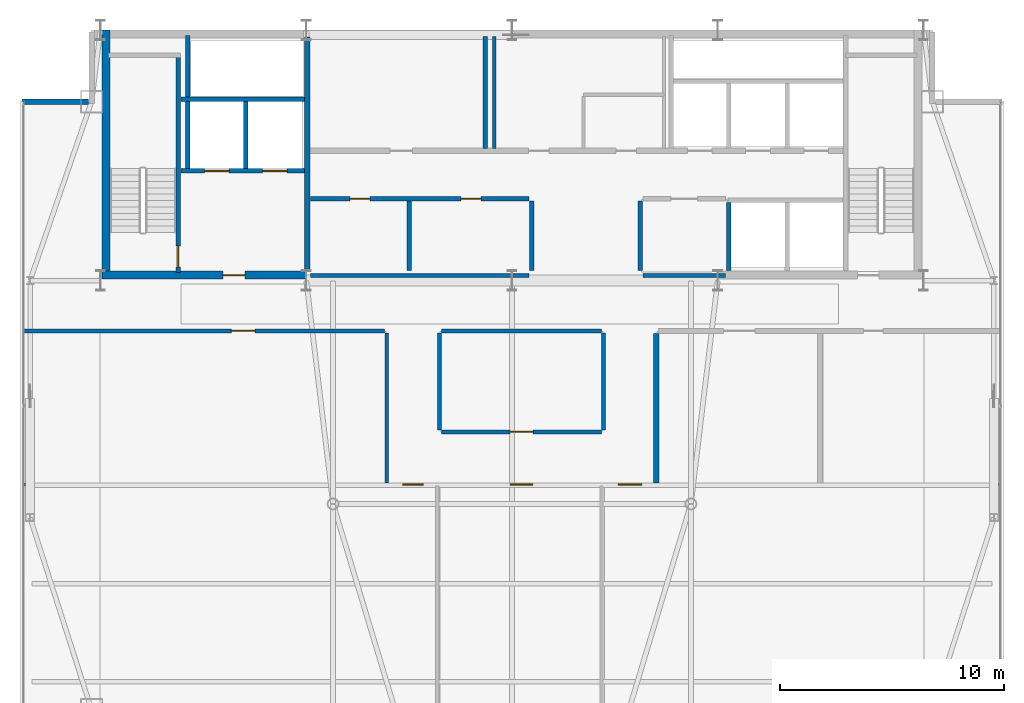
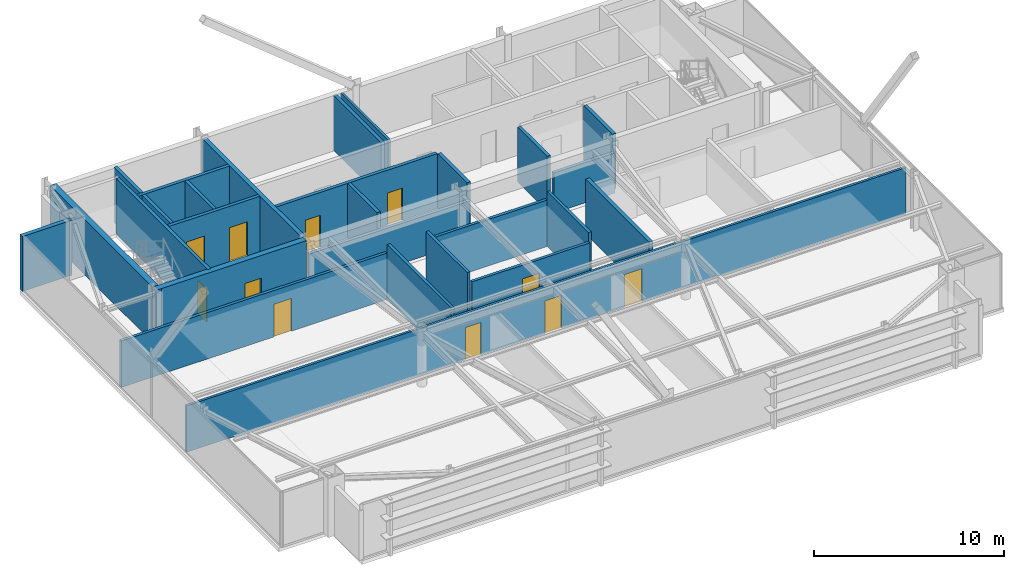
# One storey, part 21 of 24: 26 walls, 11 doors, 11 openings.
"""IFC4 building model written with IfcOpenShell, lengths in metres."""

from ifc_helpers import new_model, si_unit, direction, frame, frame_2d, origin, place, context, subcontext, project, spatial, rectangle, extrude, source, transform, mapped, material, layer, layer_set, type_object, type_shapes, element, fill, save


model = new_model("IFC4")

# Units and contexts
model_context = context("Model", 3, precision=1e-05, world=origin(), true_north=direction((0.0, 1.0)))
body_context = subcontext(model_context, "Body", "Model", "MODEL_VIEW")
ifc_project = project(units=[si_unit("LENGTHUNIT", "METRE"), si_unit("AREAUNIT", "SQUARE_METRE"), si_unit("VOLUMEUNIT", "CUBIC_METRE"), si_unit("PLANEANGLEUNIT", "RADIAN"), si_unit("MASSUNIT", "GRAM", prefix="KILO")], contexts=[model_context])

# Site, building, storey
site_placement = place(None, origin())
site = spatial("IfcSite", under=ifc_project, at=site_placement, CompositionType="ELEMENT")
building_placement = place(site_placement, origin())
building = spatial("IfcBuilding", under=site, at=building_placement, Name="Varnel Quay Broadcast Tower", CompositionType="ELEMENT")
storey_placement = place(building_placement, frame((0.0, 0.0, 277.39990234375)))
storey = spatial("IfcBuildingStorey", under=building, at=storey_placement, Name="L69", CompositionType="ELEMENT", Elevation=277.39990234375)

# Wall, opening, door
ifc_material_1 = material(Name="Concrete CSA A23.3 C50/60", Category="concrete")
ifc_layer_1 = layer(ifc_material_1, 0.199951171875, Name="Concrete CSA A23.3 C50/60")
ifc_layer_set_1 = layer_set([ifc_layer_1], Name="Concrete CSA A23.3 C50/60")
wall_type_1 = type_object("IfcWallType", Name="Wall_CoreShaftShear200", PredefinedType="SHEAR", material=ifc_layer_set_1)
wall_1_placement = place(storey_placement, frame((19.080078125, 35.949951171875, 0.0), z_axis=(0.0, 0.0, 1.0), x_axis=(0.0, 1.0, 0.0)))
wall_1 = element("IfcWall", 1, at=wall_1_placement, inside=storey, type_object=wall_type_1, Name="L69 Stair 1 East Structural Wall", PredefinedType="SHEAR", context=body_context, shape_type="SweptSolid", body=[
    extrude(rectangle(XDim=9.650146484375, YDim=0.199951171875, at=frame_2d((4.8251953125, 0.0))), origin(), (0.0, 0.0, 1.0), 3.550048828125),
])
opening_1_placement = place(wall_1_placement, frame((0.25, 0.0, 0.0)))
opening_1 = element("IfcOpeningElement", 2, at=opening_1_placement, cuts=wall_1, Name="Opening D-L69-S1", PredefinedType="OPENING", context=body_context, shape_type="SweptSolid", body=[
    extrude(rectangle(XDim=0.949951171875, YDim=2.10009765625, at=frame_2d((0.47509765625, 1.050048828125))), frame((0.0, 0.10986328125, 0.0), z_axis=(0.0, -1.0, 0.0), x_axis=(1.0, 0.0, 0.0)), (0.0, 0.0, 1.0), 0.219970703125),
])
ifc_material_2 = material(Name="Insulated Fire-Rated Hollow Steel Door", Category="steel")
door_type_1 = type_object("IfcDoorType", Name="Door_FireStair950", OperationType="NOTDEFINED", PredefinedType="DOOR", material=ifc_material_2)
shared_shape_1 = source(origin(), body_context, "Body", "SweptSolid", [
    extrude(rectangle(XDim=0.949951171875, YDim=2.10009765625, at=frame_2d((0.47509765625, 1.050048828125))), frame((0.0, 0.02490234375, 0.0), z_axis=(0.0, -1.0, 0.0), x_axis=(1.0, 0.0, 0.0)), (0.0, 0.0, 1.0), 0.050048828125),
])
type_shapes(door_type_1, [shared_shape_1])
door_1_placement = place(opening_1_placement, origin())
door_1 = element("IfcDoor", 3, at=door_1_placement, inside=storey, type_object=door_type_1, Name="L69 Stair 1 Fire Door", OperationType="SINGLE_SWING_LEFT", OverallHeight=2.10009765625, OverallWidth=0.949951171875, PredefinedType="DOOR", context=body_context, shape_type="MappedRepresentation", body=[
    mapped(shared_shape_1, transform((0.0, 0.0, 0.0), x_axis=(1.0, 0.0, 0.0), y_axis=(0.0, 1.0, 0.0), z_axis=(0.0, 0.0, 1.0), scale=1.0)),
])
fill(opening_1, door_1)

# Wall, openings, doors
wall_2_placement = place(storey_placement, frame((19.199951171875, 40.5, 0.0), z_axis=(0.0, 0.0, 1.0), x_axis=(1.0, 0.0, 0.0)))
wall_2 = element("IfcWall", 4, at=wall_2_placement, inside=storey, type_object=wall_type_1, Name="L69 Firefighter Lift Shaft Front Wall", PredefinedType="SHEAR", context=body_context, shape_type="SweptSolid", body=[
    extrude(rectangle(XDim=5.52001953125, YDim=0.199951171875, at=frame_2d((2.760009765625, 0.0))), origin(), (0.0, 0.0, 1.0), 3.550048828125),
])
opening_2_placement = place(wall_2_placement, frame((1.050048828125, 0.0, 0.0)))
opening_2 = element("IfcOpeningElement", 5, at=opening_2_placement, cuts=wall_2, Name="Opening LD-L69-FE1", PredefinedType="OPENING", context=body_context, shape_type="SweptSolid", body=[
    extrude(rectangle(XDim=1.10009765625, YDim=2.179931640625, at=frame_2d((0.550048828125, 1.08984375))), frame((0.0, 0.10986328125, 0.0), z_axis=(0.0, -1.0, 0.0), x_axis=(1.0, 0.0, 0.0)), (0.0, 0.0, 1.0), 0.219970703125),
])
opening_3_placement = place(wall_2_placement, frame((3.64990234375, 0.0, 0.0)))
opening_3 = element("IfcOpeningElement", 6, at=opening_3_placement, cuts=wall_2, Name="Opening LD-L69-FE2", PredefinedType="OPENING", context=body_context, shape_type="SweptSolid", body=[
    extrude(rectangle(XDim=1.10009765625, YDim=2.179931640625, at=frame_2d((0.550048828125, 1.08984375))), frame((0.0, 0.10986328125, 0.0), z_axis=(0.0, -1.0, 0.0), x_axis=(1.0, 0.0, 0.0)), (0.0, 0.0, 1.0), 0.219970703125),
])
ifc_material_3 = material(Name="Brushed Bronze-Stainless Lift Car & Sliding Doors", Category="steel")
door_type_2 = type_object("IfcDoorType", Name="Door_LiftLanding1100", OperationType="SLIDING_TO_LEFT", PredefinedType="DOOR", material=ifc_material_3)
shared_shape_2 = source(origin(), body_context, "Body", "SweptSolid", [
    extrude(rectangle(XDim=1.10009765625, YDim=2.179931640625, at=frame_2d((0.550048828125, 1.08984375))), frame((0.0, 0.02490234375, 0.0), z_axis=(0.0, -1.0, 0.0), x_axis=(1.0, 0.0, 0.0)), (0.0, 0.0, 1.0), 0.050048828125),
])
type_shapes(door_type_2, [shared_shape_2])
door_2_placement = place(opening_2_placement, frame((1.10009765625, 0.0, 0.0), z_axis=(0.0, 0.0, 1.0), x_axis=(-1.0, 0.0, 0.0)))
door_2 = element("IfcDoor", 7, at=door_2_placement, inside=storey, type_object=door_type_2, Name="L69 Firefighter Lift FE-01 Landing Door", OperationType="SLIDING_TO_LEFT", OverallHeight=2.179931640625, OverallWidth=1.10009765625, PredefinedType="DOOR", context=body_context, shape_type="MappedRepresentation", body=[
    mapped(shared_shape_2, transform((0.0, 0.0, 0.0), x_axis=(1.0, 0.0, 0.0), y_axis=(0.0, 1.0, 0.0), z_axis=(0.0, 0.0, 1.0), scale=1.0)),
])
fill(opening_2, door_2)
door_3_placement = place(opening_3_placement, frame((1.10009765625, 0.0, 0.0), z_axis=(0.0, 0.0, 1.0), x_axis=(-1.0, 0.0, 0.0)))
door_3 = element("IfcDoor", 8, at=door_3_placement, inside=storey, type_object=door_type_2, Name="L69 Firefighter Lift FE-02 Landing Door", OperationType="SLIDING_TO_RIGHT", OverallHeight=2.179931640625, OverallWidth=1.10009765625, PredefinedType="DOOR", context=body_context, shape_type="MappedRepresentation", body=[
    mapped(shared_shape_2, transform((0.0, 0.0, 0.0), x_axis=(1.0, 0.0, 0.0), y_axis=(0.0, 1.0, 0.0), z_axis=(0.0, 0.0, 1.0), scale=1.0)),
])
fill(opening_3, door_3)

# Walls
wall_3_placement = place(storey_placement, frame((19.199951171875, 43.699951171875, 0.0), z_axis=(0.0, 0.0, 1.0), x_axis=(1.0, 0.0, 0.0)))
element("IfcWall", 9, at=wall_3_placement, inside=storey, type_object=wall_type_1, Name="L69 Firefighter Lift Shaft Rear Wall", PredefinedType="SHEAR", context=body_context, shape_type="SweptSolid", body=[
    extrude(rectangle(XDim=5.52001953125, YDim=0.199951171875, at=frame_2d((2.760009765625, 0.0))), origin(), (0.0, 0.0, 1.0), 3.550048828125),
])
wall_4_placement = place(storey_placement, frame((22.10009765625, 40.60009765625, 0.0), z_axis=(0.0, 0.0, 1.0), x_axis=(0.0, 1.0, 0.0)))
element("IfcWall", 10, at=wall_4_placement, inside=storey, type_object=wall_type_1, Name="L69 Firefighter Lift Shaft Divider", PredefinedType="SHEAR", context=body_context, shape_type="SweptSolid", body=[
    extrude(rectangle(XDim=3.0, YDim=0.199951171875, at=frame_2d((1.5, 0.0))), origin(), (0.0, 0.0, 1.0), 3.550048828125),
])
wall_5_placement = place(storey_placement, frame((19.5, 40.60009765625, 0.0), z_axis=(0.0, 0.0, 1.0), x_axis=(0.0, 1.0, 0.0)))
element("IfcWall", 11, at=wall_5_placement, inside=storey, type_object=wall_type_1, Name="L69 Firefighter Lift Shaft West Wall", PredefinedType="SHEAR", context=body_context, shape_type="SweptSolid", body=[
    extrude(rectangle(XDim=5.949951171875, YDim=0.199951171875, at=frame_2d((2.97509765625, 0.0))), origin(), (0.0, 0.0, 1.0), 3.550048828125),
])
wall_6_placement = place(storey_placement, frame((43.699951171875, 36.050048828125, 0.0), z_axis=(0.0, 0.0, 1.0), x_axis=(0.0, 1.0, 0.0)))
element("IfcWall", 12, at=wall_6_placement, inside=storey, type_object=wall_type_1, Name="L69 Express Lift Shaft West Wall", PredefinedType="SHEAR", context=body_context, shape_type="SweptSolid", body=[
    extrude(rectangle(XDim=3.050048828125, YDim=0.199951171875, at=frame_2d((1.52490234375, 0.0))), origin(), (0.0, 0.0, 1.0), 3.550048828125),
])
ifc_layer_2 = layer(ifc_material_1, 0.25, Name="Concrete CSA A23.3 C50/60")
ifc_layer_set_2 = layer_set([ifc_layer_2], Name="Concrete CSA A23.3 C50/60")
wall_type_2 = type_object("IfcWallType", Name="Wall_CoreShaftShear250", PredefinedType="SHEAR", material=ifc_layer_set_2)
wall_7_placement = place(storey_placement, frame((24.85009765625, 36.050048828125, 0.0), z_axis=(0.0, 0.0, 1.0), x_axis=(0.0, 1.0, 0.0)))
element("IfcWall", 13, at=wall_7_placement, inside=storey, type_object=wall_type_2, Name="L69 Firefighting Lobby East Structural Wall", PredefinedType="SHEAR", context=body_context, shape_type="SweptSolid", body=[
    extrude(rectangle(XDim=10.449951171875, YDim=0.25, at=frame_2d((5.22509765625, 0.0))), origin(), (0.0, 0.0, 1.0), 3.550048828125),
])
ifc_layer_3 = layer(ifc_material_1, 0.35009765625, Name="Concrete CSA A23.3 C50/60")
ifc_layer_set_3 = layer_set([ifc_layer_3], Name="Concrete CSA A23.3 C50/60")
wall_type_3 = type_object("IfcWallType", Name="Wall_CoreShearInt350", PredefinedType="SHEAR", material=ifc_layer_set_3)
wall_8_placement = place(storey_placement, frame((15.844970703125, 35.669921875, 0.0), z_axis=(0.0, 0.0, 1.0), x_axis=(0.0, 1.0, 0.0)))
element("IfcWall", 14, at=wall_8_placement, inside=storey, type_object=wall_type_3, Name="L69 West Core Shear Wall", PredefinedType="SHEAR", context=body_context, shape_type="SweptSolid", body=[
    extrude(rectangle(XDim=11.130126953125, YDim=0.35009765625, at=frame_2d((5.56494140625, 0.0))), origin(), (0.0, 0.0, 1.0), 3.550048828125),
])

# Wall, opening, door
wall_9_placement = place(storey_placement, frame((15.669921875, 35.844970703125, 0.0), z_axis=(0.0, 0.0, 1.0), x_axis=(1.0, 0.0, 0.0)))
wall_9 = element("IfcWall", 15, at=wall_9_placement, inside=storey, type_object=wall_type_3, Name="L69 South-West Core Shear Wall", PredefinedType="SHEAR", context=body_context, shape_type="SweptSolid", body=[
    extrude(rectangle(XDim=9.130126953125, YDim=0.35009765625, at=frame_2d((4.56494140625, 0.0))), origin(), (0.0, 0.0, 1.0), 3.550048828125),
])
opening_4_placement = place(wall_9_placement, frame((5.39990234375, 0.0, 0.0)))
opening_4 = element("IfcOpeningElement", 16, at=opening_4_placement, cuts=wall_9, Name="Opening D-L69-FFL", PredefinedType="OPENING", context=body_context, shape_type="SweptSolid", body=[
    extrude(rectangle(XDim=1.0, YDim=2.10009765625, at=frame_2d((0.5, 1.050048828125))), frame((0.0, 0.18505859375, 0.0), z_axis=(0.0, -1.0, 0.0), x_axis=(1.0, 0.0, 0.0)), (0.0, 0.0, 1.0), 0.3701171875),
])
door_type_3 = type_object("IfcDoorType", Name="Door_FireLobby1000", OperationType="NOTDEFINED", PredefinedType="DOOR", material=ifc_material_2)
shared_shape_3 = source(origin(), body_context, "Body", "SweptSolid", [
    extrude(rectangle(XDim=1.0, YDim=2.10009765625, at=frame_2d((0.5, 1.050048828125))), frame((0.0, 0.02490234375, 0.0), z_axis=(0.0, -1.0, 0.0), x_axis=(1.0, 0.0, 0.0)), (0.0, 0.0, 1.0), 0.050048828125),
])
type_shapes(door_type_3, [shared_shape_3])
door_4_placement = place(opening_4_placement, origin())
door_4 = element("IfcDoor", 17, at=door_4_placement, inside=storey, type_object=door_type_3, Name="L69 Firefighting Lobby Door", OperationType="SINGLE_SWING_RIGHT", OverallHeight=2.10009765625, OverallWidth=1.0, PredefinedType="DOOR", context=body_context, shape_type="MappedRepresentation", body=[
    mapped(shared_shape_3, transform((0.0, 0.0, 0.0), x_axis=(1.0, 0.0, 0.0), y_axis=(0.0, 1.0, 0.0), z_axis=(0.0, 0.0, 1.0), scale=1.0)),
])
fill(opening_4, door_4)

# Walls
ifc_material_4 = material(Name="Precast Architectural Concrete C40/50", Category="concrete")
ifc_layer_4 = layer(ifc_material_4, 0.25, Name="Precast Architectural Concrete C40/50")
ifc_layer_set_4 = layer_set([ifc_layer_4], Name="Precast Architectural Concrete C40/50")
wall_type_4 = type_object("IfcWallType", Name="Wall_ExtTerrace250", PredefinedType="SOLIDWALL", material=ifc_layer_set_4)
wall_10_placement = place(storey_placement, frame((12.080078125, 43.60009765625, 0.0), z_axis=(0.0, 0.0, 1.0), x_axis=(1.0, 0.0, 0.0)))
element("IfcWall", 18, at=wall_10_placement, inside=storey, type_object=wall_type_4, Name="L69 Mega-Column Notch Cladding Wall NNW1", PredefinedType="SOLIDWALL", context=body_context, shape_type="SweptSolid", body=[
    extrude(rectangle(XDim=2.989990234375, YDim=0.25, at=frame_2d((1.4951171875, 0.0))), origin(), (0.0, 0.0, 1.0), 3.530029296875),
])
ifc_material_5 = material(Name="Concrete Blockwork Fire Enclosure C40/50", Category="masonry")
ifc_layer_5 = layer(ifc_material_5, 0.199951171875, Name="Concrete Blockwork Fire Enclosure C40/50")
ifc_layer_set_5 = layer_set([ifc_layer_5], Name="Concrete Blockwork Fire Enclosure C40/50")
wall_type_5 = type_object("IfcWallType", Name="Wall_FireShaft200", PredefinedType="SOLIDWALL", material=ifc_layer_set_5)
wall_11_placement = place(storey_placement, frame((39.85009765625, 35.824951171875, 0.0), z_axis=(0.0, 0.0, 1.0), x_axis=(1.0, 0.0, 0.0)))
element("IfcWall", 19, at=wall_11_placement, inside=storey, type_object=wall_type_5, Name="L69 Electrical Sub-Distribution Closet Partition 5", PredefinedType="SOLIDWALL", context=body_context, shape_type="SweptSolid", body=[
    extrude(rectangle(XDim=3.699951171875, YDim=0.199951171875, at=frame_2d((1.85009765625, 0.0))), origin(), (0.0, 0.0, 1.0), 2.5751953125),
])
wall_12_placement = place(storey_placement, frame((39.72509765625, 36.050048828125, 0.0), z_axis=(0.0, 0.0, 1.0), x_axis=(0.0, 1.0, 0.0)))
element("IfcWall", 20, at=wall_12_placement, inside=storey, type_object=wall_type_5, Name="L69 Electrical Sub-Distribution Closet Partition 7", PredefinedType="SOLIDWALL", context=body_context, shape_type="SweptSolid", body=[
    extrude(rectangle(XDim=3.099853515625, YDim=0.199951171875, at=frame_2d((1.5498046875, 0.0))), origin(), (0.0, 0.0, 1.0), 3.530029296875),
])
wall_13_placement = place(storey_placement, frame((32.800048828125, 41.5, 0.0), z_axis=(0.0, 0.0, 1.0), x_axis=(0.0, 1.0, 0.0)))
element("IfcWall", 21, at=wall_13_placement, inside=storey, type_object=wall_type_5, Name="L69 Broadcast Ingest Server Hall Partition 20", PredefinedType="SOLIDWALL", context=body_context, shape_type="SweptSolid", body=[
    extrude(rectangle(XDim=5.02001953125, YDim=0.199951171875, at=frame_2d((2.510009765625, 0.0))), origin(), (0.0, 0.0, 1.0), 3.530029296875),
])

# Wall, openings, doors
ifc_material_6 = material(Name="Steel-Stud Fire-Rated Acoustic Gypsum Partition Assembly", Category="steel")
ifc_layer_6 = layer(ifc_material_6, 0.14990234375, Name="Steel-Stud Fire-Rated Acoustic Gypsum Partition Assembly")
ifc_layer_set_6 = layer_set([ifc_layer_6], Name="Steel-Stud Fire-Rated Acoustic Gypsum Partition Assembly")
wall_type_6 = type_object("IfcWallType", Name="Wall_Partition150", PredefinedType="PARTITIONING", material=ifc_layer_set_6)
wall_14_placement = place(storey_placement, frame((12.179931640625, 26.47998046875, 0.0), z_axis=(0.0, 0.0, 1.0), x_axis=(1.0, 0.0, 0.0)))
wall_14 = element("IfcWall", 22, at=wall_14_placement, inside=storey, type_object=wall_type_6, Name="L69 Bureau Office 1 Partition 9", PredefinedType="PARTITIONING", context=body_context, shape_type="SweptSolid", body=[
    extrude(rectangle(XDim=43.64013671875, YDim=0.14990234375, at=frame_2d((21.820068359375, 0.0))), origin(), (0.0, 0.0, 1.0), 2.981201171875),
])
opening_5_placement = place(wall_14_placement, frame((16.93505859375, 0.0, 0.0)))
opening_5 = element("IfcOpeningElement", 23, at=opening_5_placement, cuts=wall_14, Name="Opening D-L69-04", PredefinedType="OPENING", context=body_context, shape_type="SweptSolid", body=[
    extrude(rectangle(XDim=0.919921875, YDim=2.080078125, at=frame_2d((0.4599609375, 1.0400390625))), frame((0.0, 0.0849609375, 0.0), z_axis=(0.0, -1.0, 0.0), x_axis=(1.0, 0.0, 0.0)), (0.0, 0.0, 1.0), 0.169921875),
])
opening_6_placement = place(wall_14_placement, frame((21.7451171875, 0.0, 0.0)))
opening_6 = element("IfcOpeningElement", 24, at=opening_6_placement, cuts=wall_14, Name="Opening D-L69-05", PredefinedType="OPENING", context=body_context, shape_type="SweptSolid", body=[
    extrude(rectangle(XDim=1.0, YDim=2.10009765625, at=frame_2d((0.5, 1.050048828125))), frame((0.0, 0.0849609375, 0.0), z_axis=(0.0, -1.0, 0.0), x_axis=(1.0, 0.0, 0.0)), (0.0, 0.0, 1.0), 0.169921875),
])
opening_7_placement = place(wall_14_placement, frame((26.570068359375, 0.0, 0.0)))
opening_7 = element("IfcOpeningElement", 25, at=opening_7_placement, cuts=wall_14, Name="Opening D-L69-06", PredefinedType="OPENING", context=body_context, shape_type="SweptSolid", body=[
    extrude(rectangle(XDim=1.050048828125, YDim=2.10009765625, at=frame_2d((0.52490234375, 1.050048828125))), frame((0.0, 0.0849609375, 0.0), z_axis=(0.0, -1.0, 0.0), x_axis=(1.0, 0.0, 0.0)), (0.0, 0.0, 1.0), 0.169921875),
])
ifc_material_7 = material(Name="Solid-Core Fire-Rated Acoustic Oak Veneer Door", Category="wood")
door_type_4 = type_object("IfcDoorType", Name="Door_Office920", OperationType="NOTDEFINED", PredefinedType="DOOR", material=ifc_material_7)
shared_shape_4 = source(origin(), body_context, "Body", "SweptSolid", [
    extrude(rectangle(XDim=0.919921875, YDim=2.080078125, at=frame_2d((0.4599609375, 1.0400390625))), frame((0.0, 0.02490234375, 0.0), z_axis=(0.0, -1.0, 0.0), x_axis=(1.0, 0.0, 0.0)), (0.0, 0.0, 1.0), 0.050048828125),
])
type_shapes(door_type_4, [shared_shape_4])
door_5_placement = place(opening_5_placement, frame((0.919921875, 0.0, 0.0), z_axis=(0.0, 0.0, 1.0), x_axis=(-1.0, 0.0, 0.0)))
door_5 = element("IfcDoor", 26, at=door_5_placement, inside=storey, type_object=door_type_4, Name="L69 Bureau Office 1 Door D-L69-04", OperationType="SINGLE_SWING_RIGHT", OverallHeight=2.080078125, OverallWidth=0.919921875, PredefinedType="DOOR", context=body_context, shape_type="MappedRepresentation", body=[
    mapped(shared_shape_4, transform((0.0, 0.0, 0.0), x_axis=(1.0, 0.0, 0.0), y_axis=(0.0, 1.0, 0.0), z_axis=(0.0, 0.0, 1.0), scale=1.0)),
])
fill(opening_5, door_5)
door_type_5 = type_object("IfcDoorType", Name="Door_Exec1000", OperationType="NOTDEFINED", PredefinedType="DOOR", material=ifc_material_7)
shared_shape_5 = source(origin(), body_context, "Body", "SweptSolid", [
    extrude(rectangle(XDim=1.0, YDim=2.10009765625, at=frame_2d((0.5, 1.050048828125))), frame((0.0, 0.02490234375, 0.0), z_axis=(0.0, -1.0, 0.0), x_axis=(1.0, 0.0, 0.0)), (0.0, 0.0, 1.0), 0.050048828125),
])
type_shapes(door_type_5, [shared_shape_5])
door_6_placement = place(opening_6_placement, frame((1.0, 0.0, 0.0), z_axis=(0.0, 0.0, 1.0), x_axis=(-1.0, 0.0, 0.0)))
door_6 = element("IfcDoor", 27, at=door_6_placement, inside=storey, type_object=door_type_5, Name="L69 Reading Lounge 2 Door D-L69-05", OperationType="SINGLE_SWING_LEFT", OverallHeight=2.10009765625, OverallWidth=1.0, PredefinedType="DOOR", context=body_context, shape_type="MappedRepresentation", body=[
    mapped(shared_shape_5, transform((0.0, 0.0, 0.0), x_axis=(1.0, 0.0, 0.0), y_axis=(0.0, 1.0, 0.0), z_axis=(0.0, 0.0, 1.0), scale=1.0)),
])
fill(opening_6, door_6)
door_type_6 = type_object("IfcDoorType", Name="Door_Meeting1050", OperationType="NOTDEFINED", PredefinedType="DOOR", material=ifc_material_7)
shared_shape_6 = source(origin(), body_context, "Body", "SweptSolid", [
    extrude(rectangle(XDim=1.050048828125, YDim=2.10009765625, at=frame_2d((0.52490234375, 1.050048828125))), frame((0.0, 0.02490234375, 0.0), z_axis=(0.0, -1.0, 0.0), x_axis=(1.0, 0.0, 0.0)), (0.0, 0.0, 1.0), 0.050048828125),
])
type_shapes(door_type_6, [shared_shape_6])
door_7_placement = place(opening_7_placement, frame((1.050048828125, 0.0, 0.0), z_axis=(0.0, 0.0, 1.0), x_axis=(-1.0, 0.0, 0.0)))
door_7 = element("IfcDoor", 28, at=door_7_placement, inside=storey, type_object=door_type_6, Name="L69 Broadcast Seminar Room 3 Door D-L69-06", OperationType="SINGLE_SWING_RIGHT", OverallHeight=2.10009765625, OverallWidth=1.050048828125, PredefinedType="DOOR", context=body_context, shape_type="MappedRepresentation", body=[
    mapped(shared_shape_6, transform((0.0, 0.0, 0.0), x_axis=(1.0, 0.0, 0.0), y_axis=(0.0, 1.0, 0.0), z_axis=(0.0, 0.0, 1.0), scale=1.0)),
])
fill(opening_7, door_7)

# Walls
wall_15_placement = place(storey_placement, frame((33.199951171875, 41.5, 0.0), z_axis=(0.0, 0.0, 1.0), x_axis=(0.0, 1.0, 0.0)))
element("IfcWall", 29, at=wall_15_placement, inside=storey, type_object=wall_type_6, Name="L69 Acoustic Rack & Patch Suite Partition 24", PredefinedType="PARTITIONING", context=body_context, shape_type="SweptSolid", body=[
    extrude(rectangle(XDim=5.02001953125, YDim=0.14990234375, at=frame_2d((2.510009765625, 0.0))), origin(), (0.0, 0.0, 1.0), 3.530029296875),
])
ifc_layer_7 = layer(ifc_material_6, 0.175048828125, Name="Steel-Stud Fire-Rated Acoustic Gypsum Partition Assembly")
ifc_layer_set_7 = layer_set([ifc_layer_7], Name="Steel-Stud Fire-Rated Acoustic Gypsum Partition Assembly")
wall_type_7 = type_object("IfcWallType", Name="Wall_Partition175", PredefinedType="PARTITIONING", material=ifc_layer_set_7)
wall_16_placement = place(storey_placement, frame((28.39990234375, 26.554931640625, 0.0), z_axis=(0.0, 0.0, 1.0), x_axis=(0.0, 1.0, 0.0)))
element("IfcWall", 30, at=wall_16_placement, inside=storey, type_object=wall_type_7, Name="L69 Press Briefing Room 4 Partition 11", PredefinedType="PARTITIONING", context=body_context, shape_type="SweptSolid", body=[
    extrude(rectangle(XDim=6.7080078125, YDim=0.175048828125, at=frame_2d((3.35400390625, 0.0))), origin(), (0.0, 0.0, 1.0), 3.530029296875),
])

# Wall, opening, door
wall_17_placement = place(storey_placement, frame((12.179931640625, 33.35009765625, 0.0), z_axis=(0.0, 0.0, 1.0), x_axis=(1.0, 0.0, 0.0)))
wall_17 = element("IfcWall", 31, at=wall_17_placement, inside=storey, type_object=wall_type_7, Name="L69 Press Briefing Room 4 Partition 12", PredefinedType="PARTITIONING", context=body_context, shape_type="SweptSolid", body=[
    extrude(rectangle(XDim=16.1201171875, YDim=0.175048828125, at=frame_2d((8.06005859375, 0.0))), origin(), (0.0, 0.0, 1.0), 2.981201171875),
])
opening_8_placement = place(wall_17_placement, frame((9.27001953125, 0.0, 0.0)))
opening_8 = element("IfcOpeningElement", 32, at=opening_8_placement, cuts=wall_17, Name="Opening D-L69-07", PredefinedType="OPENING", context=body_context, shape_type="SweptSolid", body=[
    extrude(rectangle(XDim=1.050048828125, YDim=2.10009765625, at=frame_2d((0.52490234375, 1.050048828125))), frame((0.0, 0.09765625, 0.0), z_axis=(0.0, -1.0, 0.0), x_axis=(1.0, 0.0, 0.0)), (0.0, 0.0, 1.0), 0.195068359375),
])
door_8_placement = place(opening_8_placement, frame((1.050048828125, 0.0, 0.0), z_axis=(0.0, 0.0, 1.0), x_axis=(-1.0, 0.0, 0.0)))
door_8 = element("IfcDoor", 33, at=door_8_placement, inside=storey, type_object=door_type_6, Name="L69 Press Briefing Room 4 Door D-L69-07", OperationType="SINGLE_SWING_LEFT", OverallHeight=2.10009765625, OverallWidth=1.050048828125, PredefinedType="DOOR", context=body_context, shape_type="MappedRepresentation", body=[
    mapped(shared_shape_6, transform((0.0, 0.0, 0.0), x_axis=(1.0, 0.0, 0.0), y_axis=(0.0, 1.0, 0.0), z_axis=(0.0, 0.0, 1.0), scale=1.0)),
])
fill(opening_8, door_8)

wall_18_placement = place(storey_placement, frame((30.85009765625, 28.830078125, 0.0), z_axis=(0.0, 0.0, 1.0), x_axis=(1.0, 0.0, 0.0)))
wall_18 = element("IfcWall", 34, at=wall_18_placement, inside=storey, type_object=wall_type_7, Name="L69 Editorial Huddle Room 5 Partition 13", PredefinedType="PARTITIONING", context=body_context, shape_type="SweptSolid", body=[
    extrude(rectangle(XDim=7.14990234375, YDim=0.175048828125, at=frame_2d((3.574951171875, 0.0))), origin(), (0.0, 0.0, 1.0), 2.981201171875),
])
opening_9_placement = place(wall_18_placement, frame((3.050048828125, 0.0, 0.0)))
opening_9 = element("IfcOpeningElement", 35, at=opening_9_placement, cuts=wall_18, Name="Opening D-L69-08", PredefinedType="OPENING", context=body_context, shape_type="SweptSolid", body=[
    extrude(rectangle(XDim=1.050048828125, YDim=2.10009765625, at=frame_2d((0.52490234375, 1.050048828125))), frame((0.0, 0.09765625, 0.0), z_axis=(0.0, -1.0, 0.0), x_axis=(1.0, 0.0, 0.0)), (0.0, 0.0, 1.0), 0.195068359375),
])
door_9_placement = place(opening_9_placement, origin())
door_9 = element("IfcDoor", 36, at=door_9_placement, inside=storey, type_object=door_type_6, Name="L69 Editorial Huddle Room 5 Door D-L69-08", OperationType="SINGLE_SWING_RIGHT", OverallHeight=2.10009765625, OverallWidth=1.050048828125, PredefinedType="DOOR", context=body_context, shape_type="MappedRepresentation", body=[
    mapped(shared_shape_6, transform((0.0, 0.0, 0.0), x_axis=(1.0, 0.0, 0.0), y_axis=(0.0, 1.0, 0.0), z_axis=(0.0, 0.0, 1.0), scale=1.0)),
])
fill(opening_9, door_9)

# Walls
wall_19_placement = place(storey_placement, frame((38.10009765625, 28.9169921875, 0.0), z_axis=(0.0, 0.0, 1.0), x_axis=(0.0, 1.0, 0.0)))
element("IfcWall", 37, at=wall_19_placement, inside=storey, type_object=wall_type_7, Name="L69 Editorial Huddle Room 5 Partition 14", PredefinedType="PARTITIONING", context=body_context, shape_type="SweptSolid", body=[
    extrude(rectangle(XDim=4.345947265625, YDim=0.175048828125, at=frame_2d((2.1728515625, 0.0))), origin(), (0.0, 0.0, 1.0), 3.530029296875),
])
wall_20_placement = place(storey_placement, frame((30.85009765625, 33.35009765625, 0.0), z_axis=(0.0, 0.0, 1.0), x_axis=(1.0, 0.0, 0.0)))
element("IfcWall", 38, at=wall_20_placement, inside=storey, type_object=wall_type_7, Name="L69 Editorial Huddle Room 5 Partition 15", PredefinedType="PARTITIONING", context=body_context, shape_type="SweptSolid", body=[
    extrude(rectangle(XDim=7.14990234375, YDim=0.175048828125, at=frame_2d((3.574951171875, 0.0))), origin(), (0.0, 0.0, 1.0), 2.981201171875),
])
wall_21_placement = place(storey_placement, frame((30.75, 28.9169921875, 0.0), z_axis=(0.0, 0.0, 1.0), x_axis=(0.0, 1.0, 0.0)))
element("IfcWall", 39, at=wall_21_placement, inside=storey, type_object=wall_type_7, Name="L69 Editorial Huddle Room 5 Partition 16", PredefinedType="PARTITIONING", context=body_context, shape_type="SweptSolid", body=[
    extrude(rectangle(XDim=4.345947265625, YDim=0.175048828125, at=frame_2d((2.1728515625, 0.0))), origin(), (0.0, 0.0, 1.0), 3.530029296875),
])
ifc_layer_8 = layer(ifc_material_6, 0.22509765625, Name="Steel-Stud Fire-Rated Acoustic Gypsum Partition Assembly")
ifc_layer_set_8 = layer_set([ifc_layer_8], Name="Steel-Stud Fire-Rated Acoustic Gypsum Partition Assembly")
wall_type_8 = type_object("IfcWallType", Name="Wall_Partition225", PredefinedType="PARTITIONING", material=ifc_layer_set_8)
wall_22_placement = place(storey_placement, frame((40.449951171875, 26.554931640625, 0.0), z_axis=(0.0, 0.0, 1.0), x_axis=(0.0, 1.0, 0.0)))
element("IfcWall", 40, at=wall_22_placement, inside=storey, type_object=wall_type_8, Name="L69 Journalism Training Studio 6 Partition 19", PredefinedType="PARTITIONING", context=body_context, shape_type="SweptSolid", body=[
    extrude(rectangle(XDim=6.68310546875, YDim=0.22509765625, at=frame_2d((3.341552734375, 0.0))), origin(), (0.0, 0.0, 1.0), 3.530029296875),
])
ifc_material_8 = material(Name="Fire-Rated Moisture-Resistant Plumbing Chase Partition")
ifc_layer_9 = layer(ifc_material_8, 0.199951171875, Name="Fire-Rated Moisture-Resistant Plumbing Chase Partition")
ifc_layer_set_9 = layer_set([ifc_layer_9], Name="Fire-Rated Moisture-Resistant Plumbing Chase Partition")
wall_type_9 = type_object("IfcWallType", Name="Wall_Plumbing200", PredefinedType="PLUMBINGWALL", material=ifc_layer_set_9)
wall_23_placement = place(storey_placement, frame((25.0, 35.824951171875, 0.0), z_axis=(0.0, 0.0, 1.0), x_axis=(1.0, 0.0, 0.0)))
element("IfcWall", 41, at=wall_23_placement, inside=storey, type_object=wall_type_9, Name="L69 Accessible Washroom Partition 1", PredefinedType="PLUMBINGWALL", context=body_context, shape_type="SweptSolid", body=[
    extrude(rectangle(XDim=9.75, YDim=0.199951171875, at=frame_2d((4.875, 0.0))), origin(), (0.0, 0.0, 1.0), 2.5751953125),
])
wall_24_placement = place(storey_placement, frame((29.39990234375, 36.050048828125, 0.0), z_axis=(0.0, 0.0, 1.0), x_axis=(0.0, 1.0, 0.0)))
element("IfcWall", 42, at=wall_24_placement, inside=storey, type_object=wall_type_9, Name="L69 Accessible Washroom Partition 2", PredefinedType="PLUMBINGWALL", context=body_context, shape_type="SweptSolid", body=[
    extrude(rectangle(XDim=3.099853515625, YDim=0.199951171875, at=frame_2d((1.5498046875, 0.0))), origin(), (0.0, 0.0, 1.0), 3.530029296875),
])

# Wall, openings, doors
wall_25_placement = place(storey_placement, frame((25.0, 39.25, 0.0), z_axis=(0.0, 0.0, 1.0), x_axis=(1.0, 0.0, 0.0)))
wall_25 = element("IfcWall", 43, at=wall_25_placement, inside=storey, type_object=wall_type_9, Name="L69 Accessible Washroom Partition 3", PredefinedType="PLUMBINGWALL", context=body_context, shape_type="SweptSolid", body=[
    extrude(rectangle(XDim=9.75, YDim=0.199951171875, at=frame_2d((4.875, 0.0))), origin(), (0.0, 0.0, 1.0), 3.530029296875),
])
opening_10_placement = place(wall_25_placement, frame((1.75, 0.0, 0.0)))
opening_10 = element("IfcOpeningElement", 44, at=opening_10_placement, cuts=wall_25, Name="Opening D-L69-01", PredefinedType="OPENING", context=body_context, shape_type="SweptSolid", body=[
    extrude(rectangle(XDim=0.89990234375, YDim=2.06005859375, at=frame_2d((0.449951171875, 1.030029296875))), frame((0.0, 0.10986328125, 0.0), z_axis=(0.0, -1.0, 0.0), x_axis=(1.0, 0.0, 0.0)), (0.0, 0.0, 1.0), 0.219970703125),
])
opening_11_placement = place(wall_25_placement, frame((6.72509765625, 0.0, 0.0)))
opening_11 = element("IfcOpeningElement", 45, at=opening_11_placement, cuts=wall_25, Name="Opening D-L69-02", PredefinedType="OPENING", context=body_context, shape_type="SweptSolid", body=[
    extrude(rectangle(XDim=0.89990234375, YDim=2.06005859375, at=frame_2d((0.449951171875, 1.030029296875))), frame((0.0, 0.10986328125, 0.0), z_axis=(0.0, -1.0, 0.0), x_axis=(1.0, 0.0, 0.0)), (0.0, 0.0, 1.0), 0.219970703125),
])
door_type_7 = type_object("IfcDoorType", Name="Door_Washroom900", OperationType="NOTDEFINED", PredefinedType="DOOR", material=ifc_material_7)
shared_shape_7 = source(origin(), body_context, "Body", "SweptSolid", [
    extrude(rectangle(XDim=0.89990234375, YDim=2.06005859375, at=frame_2d((0.449951171875, 1.030029296875))), frame((0.0, 0.02490234375, 0.0), z_axis=(0.0, -1.0, 0.0), x_axis=(1.0, 0.0, 0.0)), (0.0, 0.0, 1.0), 0.050048828125),
])
type_shapes(door_type_7, [shared_shape_7])
door_10_placement = place(opening_10_placement, frame((0.89990234375, 0.0, 0.0), z_axis=(0.0, 0.0, 1.0), x_axis=(-1.0, 0.0, 0.0)))
door_10 = element("IfcDoor", 46, at=door_10_placement, inside=storey, type_object=door_type_7, Name="L69 Accessible Washroom Door D-L69-01", OperationType="SINGLE_SWING_LEFT", OverallHeight=2.06005859375, OverallWidth=0.89990234375, PredefinedType="DOOR", context=body_context, shape_type="MappedRepresentation", body=[
    mapped(shared_shape_7, transform((0.0, 0.0, 0.0), x_axis=(1.0, 0.0, 0.0), y_axis=(0.0, 1.0, 0.0), z_axis=(0.0, 0.0, 1.0), scale=1.0)),
])
fill(opening_10, door_10)
door_11_placement = place(opening_11_placement, frame((0.89990234375, 0.0, 0.0), z_axis=(0.0, 0.0, 1.0), x_axis=(-1.0, 0.0, 0.0)))
door_11 = element("IfcDoor", 47, at=door_11_placement, inside=storey, type_object=door_type_7, Name="L69 Staff Washrooms Door D-L69-02", OperationType="SINGLE_SWING_RIGHT", OverallHeight=2.06005859375, OverallWidth=0.89990234375, PredefinedType="DOOR", context=body_context, shape_type="MappedRepresentation", body=[
    mapped(shared_shape_7, transform((0.0, 0.0, 0.0), x_axis=(1.0, 0.0, 0.0), y_axis=(0.0, 1.0, 0.0), z_axis=(0.0, 0.0, 1.0), scale=1.0)),
])
fill(opening_11, door_11)

# Wall
wall_26_placement = place(storey_placement, frame((34.875, 36.050048828125, 0.0), z_axis=(0.0, 0.0, 1.0), x_axis=(0.0, 1.0, 0.0)))
element("IfcWall", 48, at=wall_26_placement, inside=storey, type_object=wall_type_9, Name="L69 Staff Washrooms Partition 4", PredefinedType="PLUMBINGWALL", context=body_context, shape_type="SweptSolid", body=[
    extrude(rectangle(XDim=3.099853515625, YDim=0.199951171875, at=frame_2d((1.5498046875, 0.0))), origin(), (0.0, 0.0, 1.0), 3.530029296875),
])

save(model, "model.ifc")
